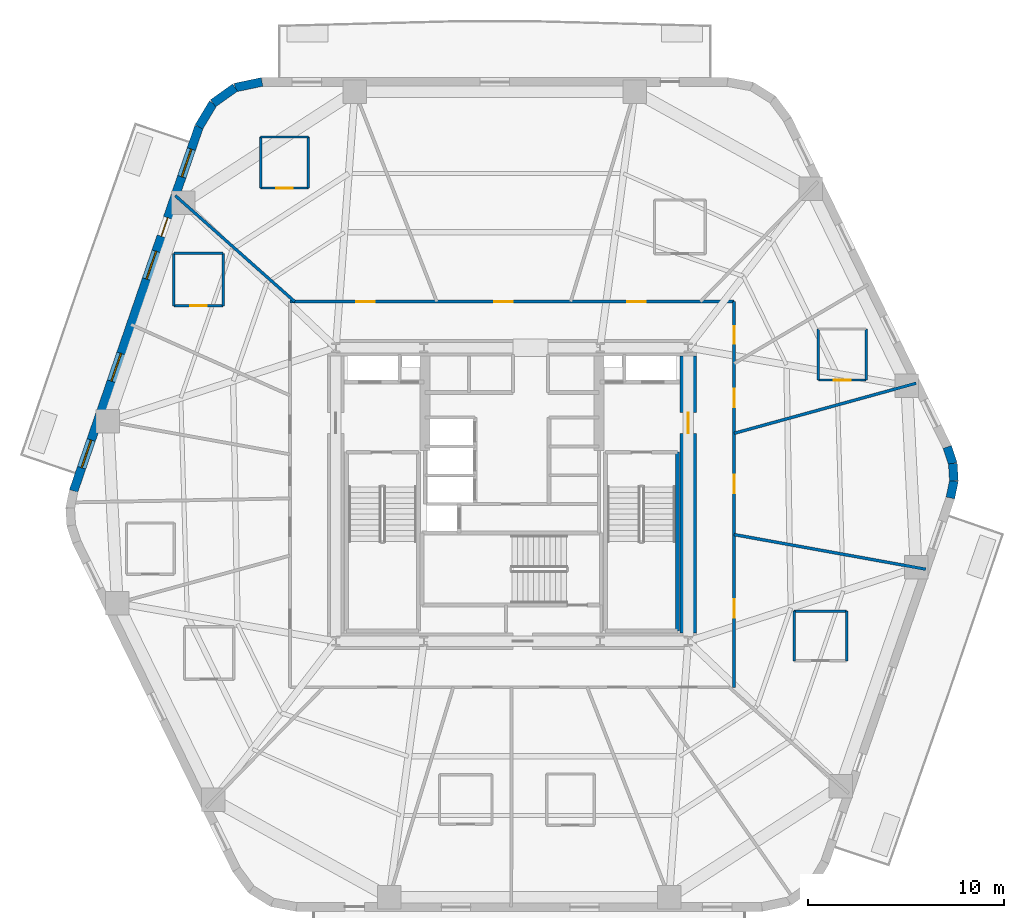
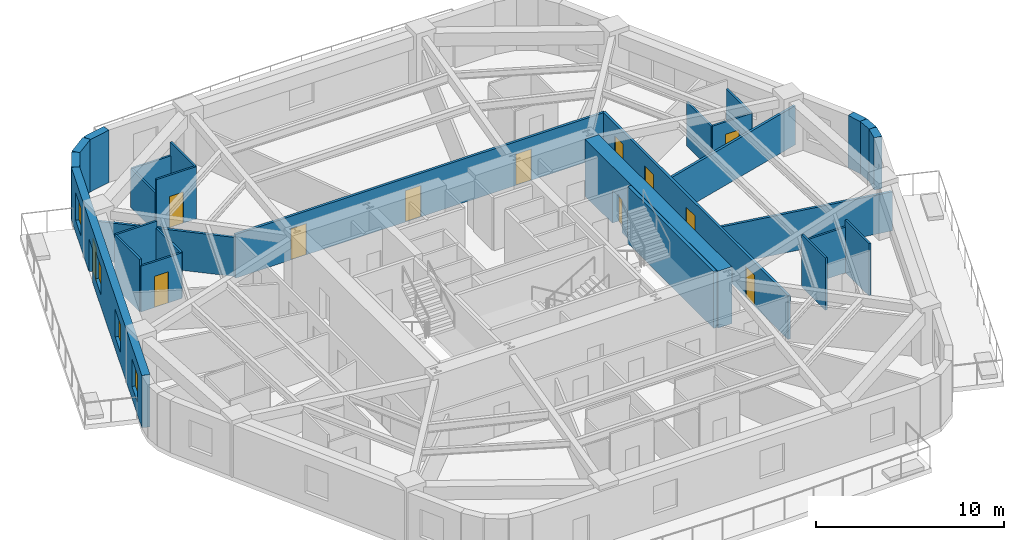
# One storey, part 5 of 8: 28 walls, 12 doors, 4 windows, 16 openings.
"""IFC4 building model written with IfcOpenShell, lengths in metres."""

from ifc_helpers import new_model, si_unit, direction, frame, frame_2d, origin, place, context, subcontext, project, spatial, rectangle, extrude, material, layer, layer_set, type_object, element, fill, save


model = new_model("IFC4")

# Units and contexts
model_context = context("Model", 3, precision=1e-05, world=origin(), true_north=direction((0.0, 1.0)))
body_context = subcontext(model_context, "Body", "Model", "MODEL_VIEW")
ifc_project = project(units=[si_unit("LENGTHUNIT", "METRE"), si_unit("AREAUNIT", "SQUARE_METRE"), si_unit("VOLUMEUNIT", "CUBIC_METRE"), si_unit("PLANEANGLEUNIT", "RADIAN"), si_unit("MASSUNIT", "GRAM", prefix="KILO")], contexts=[model_context])

# Site, building, storey
site_placement = place(None, origin())
site = spatial("IfcSite", under=ifc_project, at=site_placement, CompositionType="ELEMENT")
building_placement = place(site_placement, origin())
building = spatial("IfcBuilding", under=site, at=building_placement, Name="Kilnhurst Terrace Hotel", CompositionType="ELEMENT")
storey_placement = place(building_placement, frame((0.0, 0.0, 109.89990234375)))
storey = spatial("IfcBuildingStorey", under=building, at=storey_placement, Name="L26", CompositionType="ELEMENT", Elevation=109.89990234375)

# Walls
ifc_material_1 = material(Name="Precast concrete C40/50", Category="concrete")
ifc_layer_1 = layer(ifc_material_1, 0.449951171875, Name="Precast concrete C40/50")
ifc_layer_set_1 = layer_set([ifc_layer_1], Name="Precast concrete C40/50")
wall_type_1 = type_object("IfcWallType", Name="WL-BRK-450", PredefinedType="SOLIDWALL", material=ifc_layer_set_1)
wall_1_placement = place(storey_placement, frame((22.39697265625, -0.17919921875, 0.0), z_axis=(0.0, 0.0, 1.0), x_axis=(0.199313589404, 0.979935759669, 0.0)))
element("IfcWall", 1, at=wall_1_placement, inside=storey, type_object=wall_type_1, Name="L26 Rounded Corner Brick Wall C3.1", PredefinedType="SOLIDWALL", context=body_context, shape_type="SweptSolid", body=[
    extrude(rectangle(XDim=0.8955078125, YDim=0.449951171875, at=frame_2d((0.44775390625, 0.0))), origin(), (0.0, 0.0, 1.0), 3.400146484375),
])
wall_2_placement = place(storey_placement, frame((22.575439453125, 0.6982421875, 0.0), z_axis=(0.0, 0.0, 1.0), x_axis=(-0.060980441946, 0.998138961117, 0.0)))
element("IfcWall", 2, at=wall_2_placement, inside=storey, type_object=wall_type_1, Name="L26 Rounded Corner Brick Wall C3.2", PredefinedType="SOLIDWALL", context=body_context, shape_type="SweptSolid", body=[
    extrude(rectangle(XDim=0.880859375, YDim=0.449951171875, at=frame_2d((0.4404296875, 0.0))), origin(), (0.0, 0.0, 1.0), 3.400146484375),
])
wall_3_placement = place(storey_placement, frame((22.521728515625, 1.577392578125, 0.0), z_axis=(0.0, 0.0, 1.0), x_axis=(-0.317372694837, 0.948300887151, 0.0)))
element("IfcWall", 3, at=wall_3_placement, inside=storey, type_object=wall_type_1, Name="L26 Rounded Corner Brick Wall C3.3", PredefinedType="SOLIDWALL", context=body_context, shape_type="SweptSolid", body=[
    extrude(rectangle(XDim=0.8955078125, YDim=0.449951171875, at=frame_2d((0.44775390625, 0.0))), origin(), (0.0, 0.0, 1.0), 3.400146484375),
])
wall_4_placement = place(storey_placement, frame((-12.7705078125, 21.074951171875, 0.0), z_axis=(0.0, 0.0, 1.0), x_axis=(-0.97874281988, -0.205091424819, 0.0)))
element("IfcWall", 4, at=wall_4_placement, inside=storey, type_object=wall_type_1, Name="L26 Rounded Corner Brick Wall C5.1", PredefinedType="SOLIDWALL", context=body_context, shape_type="SweptSolid", body=[
    extrude(rectangle(XDim=1.40576171875, YDim=0.449951171875, at=frame_2d((0.702880859375, 0.0))), origin(), (0.0, 0.0, 1.0), 3.400146484375),
])
wall_5_placement = place(storey_placement, frame((-14.146484375, 20.78662109375, 0.0), z_axis=(0.0, 0.0, 1.0), x_axis=(-0.814162929117, -0.580636482536, 0.0)))
element("IfcWall", 5, at=wall_5_placement, inside=storey, type_object=wall_type_1, Name="L26 Rounded Corner Brick Wall C5.2", PredefinedType="SOLIDWALL", context=body_context, shape_type="SweptSolid", body=[
    extrude(rectangle(XDim=1.382080078125, YDim=0.449951171875, at=frame_2d((0.69091796875, 0.0))), origin(), (0.0, 0.0, 1.0), 3.400146484375),
])
wall_6_placement = place(storey_placement, frame((-15.271728515625, 19.984130859375, 0.0), z_axis=(0.0, 0.0, 1.0), x_axis=(-0.512579347361, -0.858639862025, 0.0)))
element("IfcWall", 6, at=wall_6_placement, inside=storey, type_object=wall_type_1, Name="L26 Rounded Corner Brick Wall C5.3", PredefinedType="SOLIDWALL", context=body_context, shape_type="SweptSolid", body=[
    extrude(rectangle(XDim=1.406005859375, YDim=0.449951171875, at=frame_2d((0.703125, 0.0))), origin(), (0.0, 0.0, 1.0), 3.400146484375),
])

# Wall, openings, door, windows
wall_7_placement = place(storey_placement, frame((-15.992431640625, 18.77685546875, 0.0), z_axis=(0.0, 0.0, 1.0), x_axis=(-0.325606988926, -0.945505202927, 0.0)))
wall_7 = element("IfcWall", 7, at=wall_7_placement, inside=storey, type_object=wall_type_1, Name="L26 Exterior Brick Facade Wall F5", PredefinedType="SOLIDWALL", context=body_context, shape_type="SweptSolid", body=[
    extrude(rectangle(XDim=19.66943359375, YDim=0.449951171875, at=frame_2d((9.834716796875, 0.0))), origin(), (0.0, 0.0, 1.0), 3.400146484375),
])
opening_1_placement = place(wall_7_placement, frame((4.908935546875, 0.0, 0.0)))
opening_1 = element("IfcOpeningElement", 8, at=opening_1_placement, cuts=wall_7, Name="Opening BD-1000", PredefinedType="OPENING", context=body_context, shape_type="SweptSolid", body=[
    extrude(rectangle(XDim=1.0, YDim=2.14990234375, at=frame_2d((0.5, 1.074951171875))), frame((0.0, 0.23486328125, 0.0), z_axis=(0.0, -1.0, 0.0), x_axis=(1.0, 0.0, 0.0)), (0.0, 0.0, 1.0), 0.469970703125),
])
opening_2_placement = place(wall_7_placement, frame((1.197021484375, 0.0, 0.800048828125)))
opening_2 = element("IfcOpeningElement", 9, at=opening_2_placement, cuts=wall_7, Name="Opening W-02", PredefinedType="OPENING", context=body_context, shape_type="SweptSolid", body=[
    extrude(rectangle(XDim=1.5, YDim=1.800048828125, at=frame_2d((0.75, 0.89990234375))), frame((0.0, 0.23486328125, 0.0), z_axis=(0.0, -1.0, 0.0), x_axis=(1.0, 0.0, 0.0)), (0.0, 0.0, 1.0), 0.469970703125),
])
opening_3_placement = place(wall_7_placement, frame((6.719970703125, 0.0, 0.800048828125)))
opening_3 = element("IfcOpeningElement", 10, at=opening_3_placement, cuts=wall_7, Name="Opening W-02", PredefinedType="OPENING", context=body_context, shape_type="SweptSolid", body=[
    extrude(rectangle(XDim=1.5, YDim=1.800048828125, at=frame_2d((0.75, 0.89990234375))), frame((0.0, 0.23486328125, 0.0), z_axis=(0.0, -1.0, 0.0), x_axis=(1.0, 0.0, 0.0)), (0.0, 0.0, 1.0), 0.469970703125),
])
opening_4_placement = place(wall_7_placement, frame((12.238037109375, 0.0, 0.800048828125)))
opening_4 = element("IfcOpeningElement", 11, at=opening_4_placement, cuts=wall_7, Name="Opening W-02", PredefinedType="OPENING", context=body_context, shape_type="SweptSolid", body=[
    extrude(rectangle(XDim=1.5, YDim=1.800048828125, at=frame_2d((0.75, 0.89990234375))), frame((0.0, 0.23486328125, 0.0), z_axis=(0.0, -1.0, 0.0), x_axis=(1.0, 0.0, 0.0)), (0.0, 0.0, 1.0), 0.469970703125),
])
opening_5_placement = place(wall_7_placement, frame((16.91796875, 0.0, 0.800048828125)))
opening_5 = element("IfcOpeningElement", 12, at=opening_5_placement, cuts=wall_7, Name="Opening W-02", PredefinedType="OPENING", context=body_context, shape_type="SweptSolid", body=[
    extrude(rectangle(XDim=1.5, YDim=1.800048828125, at=frame_2d((0.75, 0.89990234375))), frame((0.0, 0.23486328125, 0.0), z_axis=(0.0, -1.0, 0.0), x_axis=(1.0, 0.0, 0.0)), (0.0, 0.0, 1.0), 0.469970703125),
])
ifc_material_2 = material(Name="Thermally Broken Bronze Aluminium Alloy 6063-T6 and Laminated Glass", Category="aluminium")
door_type_1 = type_object("IfcDoorType", Name="DR-EXT-BAL-1000", OperationType="NOTDEFINED", PredefinedType="DOOR", material=ifc_material_2)
door_1_placement = place(opening_1_placement, origin())
door_1 = element("IfcDoor", 13, at=door_1_placement, inside=storey, type_object=door_type_1, Name="L26 Planted Balcony Door BAL-L2B", OperationType="SINGLE_SWING_LEFT", OverallHeight=2.14990234375, OverallWidth=1.0, PredefinedType="DOOR", context=body_context, shape_type="SweptSolid", body=[
    extrude(rectangle(XDim=1.0, YDim=2.14990234375, at=frame_2d((0.5, 1.074951171875))), frame((0.0, 0.02490234375, 0.0), z_axis=(0.0, -1.0, 0.0), x_axis=(1.0, 0.0, 0.0)), (0.0, 0.0, 1.0), 0.050048828125),
])
fill(opening_1, door_1)
ifc_material_3 = material(Name="Thermally Broken Bronze Aluminium Alloy 6063-T6 and Low-E Glass", Category="aluminium")
window_type = type_object("IfcWindowType", Name="WIN-1500X1800", PartitioningType="SINGLE_PANEL", PredefinedType="WINDOW", material=ifc_material_3)
window_1_placement = place(opening_2_placement, origin())
window_1 = element("IfcWindow", 14, at=window_1_placement, inside=storey, type_object=window_type, Name="L26 Deep-Set Masonry Window F5.1", OverallHeight=1.800048828125, OverallWidth=1.5, PartitioningType="SINGLE_PANEL", PredefinedType="WINDOW", context=body_context, shape_type="SweptSolid", body=[
    extrude(rectangle(XDim=1.5, YDim=1.800048828125, at=frame_2d((0.75, 0.89990234375))), frame((0.0, 0.030029296875, 0.0), z_axis=(0.0, -1.0, 0.0), x_axis=(1.0, 0.0, 0.0)), (0.0, 0.0, 1.0), 0.06005859375),
])
fill(opening_2, window_1)
window_2_placement = place(opening_3_placement, origin())
window_2 = element("IfcWindow", 15, at=window_2_placement, inside=storey, type_object=window_type, Name="L26 Deep-Set Masonry Window F5.2", OverallHeight=1.800048828125, OverallWidth=1.5, PartitioningType="SINGLE_PANEL", PredefinedType="WINDOW", context=body_context, shape_type="SweptSolid", body=[
    extrude(rectangle(XDim=1.5, YDim=1.800048828125, at=frame_2d((0.75, 0.89990234375))), frame((0.0, 0.030029296875, 0.0), z_axis=(0.0, -1.0, 0.0), x_axis=(1.0, 0.0, 0.0)), (0.0, 0.0, 1.0), 0.06005859375),
])
fill(opening_3, window_2)
window_3_placement = place(opening_4_placement, origin())
window_3 = element("IfcWindow", 16, at=window_3_placement, inside=storey, type_object=window_type, Name="L26 Deep-Set Masonry Window F5.3", OverallHeight=1.800048828125, OverallWidth=1.5, PartitioningType="SINGLE_PANEL", PredefinedType="WINDOW", context=body_context, shape_type="SweptSolid", body=[
    extrude(rectangle(XDim=1.5, YDim=1.800048828125, at=frame_2d((0.75, 0.89990234375))), frame((0.0, 0.030029296875, 0.0), z_axis=(0.0, -1.0, 0.0), x_axis=(1.0, 0.0, 0.0)), (0.0, 0.0, 1.0), 0.06005859375),
])
fill(opening_4, window_3)
window_4_placement = place(opening_5_placement, origin())
window_4 = element("IfcWindow", 17, at=window_4_placement, inside=storey, type_object=window_type, Name="L26 Deep-Set Masonry Window F5.4", OverallHeight=1.800048828125, OverallWidth=1.5, PartitioningType="SINGLE_PANEL", PredefinedType="WINDOW", context=body_context, shape_type="SweptSolid", body=[
    extrude(rectangle(XDim=1.5, YDim=1.800048828125, at=frame_2d((0.75, 0.89990234375))), frame((0.0, 0.030029296875, 0.0), z_axis=(0.0, -1.0, 0.0), x_axis=(1.0, 0.0, 0.0)), (0.0, 0.0, 1.0), 0.06005859375),
])
fill(opening_5, window_4)

# Wall, openings, doors
ifc_material_4 = material(Name="Acoustic Double-Gypsum Corridor Partition Assembly")
ifc_layer_2 = layer(ifc_material_4, 0.14990234375, Name="Acoustic Double-Gypsum Corridor Partition Assembly")
ifc_layer_set_2 = layer_set([ifc_layer_2], Name="Acoustic Double-Gypsum Corridor Partition Assembly")
wall_type_2 = type_object("IfcWallType", Name="WL-COR-150", PredefinedType="PARTITIONING", material=ifc_layer_set_2)
wall_8_placement = place(storey_placement, frame((-11.35009765625, 9.85009765625, 0.0), z_axis=(0.0, 0.0, 1.0), x_axis=(1.0, 0.0, 0.0)))
wall_8 = element("IfcWall", 18, at=wall_8_placement, inside=storey, type_object=wall_type_2, Name="L26 Interior Wall WL-L26-COR-02", PredefinedType="PARTITIONING", context=body_context, shape_type="SweptSolid", body=[
    extrude(rectangle(XDim=22.7001953125, YDim=0.14990234375, at=frame_2d((11.35009765625, 0.0))), origin(), (0.0, 0.0, 1.0), 2.840087890625),
])
opening_6_placement = place(wall_8_placement, frame((17.237060546875, 0.0, 0.0)))
opening_6 = element("IfcOpeningElement", 19, at=opening_6_placement, cuts=wall_8, Name="Opening D-60B", PredefinedType="OPENING", context=body_context, shape_type="SweptSolid", body=[
    extrude(rectangle(XDim=0.949951171875, YDim=2.030029296875, at=frame_2d((0.47509765625, 1.01513671875))), frame((0.0, 0.0849609375, 0.0), z_axis=(0.0, -1.0, 0.0), x_axis=(1.0, 0.0, 0.0)), (0.0, 0.0, 1.0), 0.169921875),
])
opening_7_placement = place(wall_8_placement, frame((10.449951171875, 0.0, 0.0)))
opening_7 = element("IfcOpeningElement", 20, at=opening_7_placement, cuts=wall_8, Name="Opening D-60B", PredefinedType="OPENING", context=body_context, shape_type="SweptSolid", body=[
    extrude(rectangle(XDim=0.949951171875, YDim=2.030029296875, at=frame_2d((0.47509765625, 1.01513671875))), frame((0.0, 0.0849609375, 0.0), z_axis=(0.0, -1.0, 0.0), x_axis=(1.0, 0.0, 0.0)), (0.0, 0.0, 1.0), 0.169921875),
])
opening_8_placement = place(wall_8_placement, frame((3.39892578125, 0.0, 0.0)))
opening_8 = element("IfcOpeningElement", 21, at=opening_8_placement, cuts=wall_8, Name="Opening D-60B", PredefinedType="OPENING", context=body_context, shape_type="SweptSolid", body=[
    extrude(rectangle(XDim=0.949951171875, YDim=2.030029296875, at=frame_2d((0.47509765625, 1.01513671875))), frame((0.0, 0.0849609375, 0.0), z_axis=(0.0, -1.0, 0.0), x_axis=(1.0, 0.0, 0.0)), (0.0, 0.0, 1.0), 0.169921875),
])
ifc_material_5 = material(Name="Acoustic Walnut Veneer Solid-Core Fire Door")
door_type_2 = type_object("IfcDoorType", Name="DR-FD60-950", OperationType="NOTDEFINED", PredefinedType="DOOR", material=ifc_material_5)
door_2_placement = place(opening_6_placement, origin())
door_2 = element("IfcDoor", 22, at=door_2_placement, inside=storey, type_object=door_type_2, Name="L26 Executive Suite Entry Door 3", OperationType="SINGLE_SWING_LEFT", OverallHeight=2.030029296875, OverallWidth=0.949951171875, PredefinedType="DOOR", context=body_context, shape_type="SweptSolid", body=[
    extrude(rectangle(XDim=0.949951171875, YDim=2.030029296875, at=frame_2d((0.47509765625, 1.01513671875))), frame((0.0, 0.02490234375, 0.0), z_axis=(0.0, -1.0, 0.0), x_axis=(1.0, 0.0, 0.0)), (0.0, 0.0, 1.0), 0.050048828125),
])
fill(opening_6, door_2)
door_3_placement = place(opening_7_placement, origin())
door_3 = element("IfcDoor", 23, at=door_3_placement, inside=storey, type_object=door_type_2, Name="L26 Executive Boardroom Door", OperationType="SINGLE_SWING_RIGHT", OverallHeight=2.030029296875, OverallWidth=0.949951171875, PredefinedType="DOOR", context=body_context, shape_type="SweptSolid", body=[
    extrude(rectangle(XDim=0.949951171875, YDim=2.030029296875, at=frame_2d((0.47509765625, 1.01513671875))), frame((0.0, 0.02490234375, 0.0), z_axis=(0.0, -1.0, 0.0), x_axis=(1.0, 0.0, 0.0)), (0.0, 0.0, 1.0), 0.050048828125),
])
fill(opening_7, door_3)
door_4_placement = place(opening_8_placement, origin())
door_4 = element("IfcDoor", 24, at=door_4_placement, inside=storey, type_object=door_type_2, Name="L26 Executive Suite Entry Door 5", OperationType="SINGLE_SWING_LEFT", OverallHeight=2.030029296875, OverallWidth=0.949951171875, PredefinedType="DOOR", context=body_context, shape_type="SweptSolid", body=[
    extrude(rectangle(XDim=0.949951171875, YDim=2.030029296875, at=frame_2d((0.47509765625, 1.01513671875))), frame((0.0, 0.02490234375, 0.0), z_axis=(0.0, -1.0, 0.0), x_axis=(1.0, 0.0, 0.0)), (0.0, 0.0, 1.0), 0.050048828125),
])
fill(opening_8, door_4)

wall_9_placement = place(storey_placement, frame((11.35009765625, 9.85009765625, 0.0), z_axis=(0.0, 0.0, 1.0), x_axis=(0.0, -1.0, 0.0)))
wall_9 = element("IfcWall", 25, at=wall_9_placement, inside=storey, type_object=wall_type_2, Name="L26 Interior Wall WL-L26-COR-03", PredefinedType="PARTITIONING", context=body_context, shape_type="SweptSolid", body=[
    extrude(rectangle(XDim=19.7001953125, YDim=0.14990234375, at=frame_2d((9.85009765625, 0.0))), origin(), (0.0, 0.0, 1.0), 2.840087890625),
])
opening_9_placement = place(wall_9_placement, frame((4.447998046875, 0.0, 0.0)))
opening_9 = element("IfcOpeningElement", 26, at=opening_9_placement, cuts=wall_9, Name="Opening D-60B", PredefinedType="OPENING", context=body_context, shape_type="SweptSolid", body=[
    extrude(rectangle(XDim=0.949951171875, YDim=2.030029296875, at=frame_2d((0.47509765625, 1.01513671875))), frame((0.0, 0.0849609375, 0.0), z_axis=(0.0, -1.0, 0.0), x_axis=(1.0, 0.0, 0.0)), (0.0, 0.0, 1.0), 0.169921875),
])
opening_10_placement = place(wall_9_placement, frame((1.2490234375, 0.0, 0.0)))
opening_10 = element("IfcOpeningElement", 27, at=opening_10_placement, cuts=wall_9, Name="Opening D-60C", PredefinedType="OPENING", context=body_context, shape_type="SweptSolid", body=[
    extrude(rectangle(XDim=0.89990234375, YDim=2.030029296875, at=frame_2d((0.449951171875, 1.01513671875))), frame((0.0, 0.0849609375, 0.0), z_axis=(0.0, -1.0, 0.0), x_axis=(1.0, 0.0, 0.0)), (0.0, 0.0, 1.0), 0.169921875),
])
opening_11_placement = place(wall_9_placement, frame((15.205078125, 0.0, 0.0)))
opening_11 = element("IfcOpeningElement", 28, at=opening_11_placement, cuts=wall_9, Name="Opening D-60B", PredefinedType="OPENING", context=body_context, shape_type="SweptSolid", body=[
    extrude(rectangle(XDim=0.949951171875, YDim=2.030029296875, at=frame_2d((0.47509765625, 1.01513671875))), frame((0.0, 0.0849609375, 0.0), z_axis=(0.0, -1.0, 0.0), x_axis=(1.0, 0.0, 0.0)), (0.0, 0.0, 1.0), 0.169921875),
])
opening_12_placement = place(wall_9_placement, frame((8.8359375, 0.0, 0.0)))
opening_12 = element("IfcOpeningElement", 29, at=opening_12_placement, cuts=wall_9, Name="Opening D-60B", PredefinedType="OPENING", context=body_context, shape_type="SweptSolid", body=[
    extrude(rectangle(XDim=0.949951171875, YDim=2.030029296875, at=frame_2d((0.47509765625, 1.01513671875))), frame((0.0, 0.0849609375, 0.0), z_axis=(0.0, -1.0, 0.0), x_axis=(1.0, 0.0, 0.0)), (0.0, 0.0, 1.0), 0.169921875),
])
ifc_material_6 = material(Name="Painted Solid-Core Service Fire Door")
door_type_3 = type_object("IfcDoorType", Name="DR-FD60-900", OperationType="NOTDEFINED", PredefinedType="DOOR", material=ifc_material_6)
door_5_placement = place(opening_10_placement, origin())
door_5 = element("IfcDoor", 30, at=door_5_placement, inside=storey, type_object=door_type_3, Name="L26 Private Study Salon Door 2", OperationType="SINGLE_SWING_RIGHT", OverallHeight=2.030029296875, OverallWidth=0.89990234375, PredefinedType="DOOR", context=body_context, shape_type="SweptSolid", body=[
    extrude(rectangle(XDim=0.89990234375, YDim=2.030029296875, at=frame_2d((0.449951171875, 1.01513671875))), frame((0.0, 0.02490234375, 0.0), z_axis=(0.0, -1.0, 0.0), x_axis=(1.0, 0.0, 0.0)), (0.0, 0.0, 1.0), 0.050048828125),
])
fill(opening_10, door_5)
door_6_placement = place(opening_9_placement, origin())
door_6 = element("IfcDoor", 31, at=door_6_placement, inside=storey, type_object=door_type_2, Name="L26 Guest Room Entry Door 1", OperationType="SINGLE_SWING_LEFT", OverallHeight=2.030029296875, OverallWidth=0.949951171875, PredefinedType="DOOR", context=body_context, shape_type="SweptSolid", body=[
    extrude(rectangle(XDim=0.949951171875, YDim=2.030029296875, at=frame_2d((0.47509765625, 1.01513671875))), frame((0.0, 0.02490234375, 0.0), z_axis=(0.0, -1.0, 0.0), x_axis=(1.0, 0.0, 0.0)), (0.0, 0.0, 1.0), 0.050048828125),
])
fill(opening_9, door_6)
door_7_placement = place(opening_11_placement, origin())
door_7 = element("IfcDoor", 32, at=door_7_placement, inside=storey, type_object=door_type_2, Name="L26 Executive Suite Entry Door 16", OperationType="SINGLE_SWING_RIGHT", OverallHeight=2.030029296875, OverallWidth=0.949951171875, PredefinedType="DOOR", context=body_context, shape_type="SweptSolid", body=[
    extrude(rectangle(XDim=0.949951171875, YDim=2.030029296875, at=frame_2d((0.47509765625, 1.01513671875))), frame((0.0, 0.02490234375, 0.0), z_axis=(0.0, -1.0, 0.0), x_axis=(1.0, 0.0, 0.0)), (0.0, 0.0, 1.0), 0.050048828125),
])
fill(opening_11, door_7)
door_8_placement = place(opening_12_placement, origin())
door_8 = element("IfcDoor", 33, at=door_8_placement, inside=storey, type_object=door_type_2, Name="L26 Private Dining Room Door", OperationType="SINGLE_SWING_LEFT", OverallHeight=2.030029296875, OverallWidth=0.949951171875, PredefinedType="DOOR", context=body_context, shape_type="SweptSolid", body=[
    extrude(rectangle(XDim=0.949951171875, YDim=2.030029296875, at=frame_2d((0.47509765625, 1.01513671875))), frame((0.0, 0.02490234375, 0.0), z_axis=(0.0, -1.0, 0.0), x_axis=(1.0, 0.0, 0.0)), (0.0, 0.0, 1.0), 0.050048828125),
])
fill(opening_12, door_8)

# Wall, opening, door
ifc_material_7 = material(Name="Concrete C80/95", Category="concrete")
ifc_layer_3 = layer(ifc_material_7, 0.85009765625, Name="Concrete C80/95")
ifc_layer_set_3 = layer_set([ifc_layer_3], Name="Concrete C80/95")
wall_type_3 = type_object("IfcWallType", Name="WL-CORE-850", PredefinedType="SHEAR", material=ifc_layer_set_3)
wall_10_placement = place(storey_placement, frame((9.0, -7.074951171875, 0.0), z_axis=(0.0, 0.0, 1.0), x_axis=(0.0, 1.0, 0.0)))
wall_10 = element("IfcWall", 34, at=wall_10_placement, inside=storey, type_object=wall_type_3, Name="L26 Core East Shear Wall", PredefinedType="SHEAR", context=body_context, shape_type="SweptSolid", body=[
    extrude(rectangle(XDim=14.14990234375, YDim=0.85009765625, at=frame_2d((7.074951171875, 0.0))), origin(), (0.0, 0.0, 1.0), 3.7001953125),
])
opening_13_placement = place(wall_10_placement, frame((10.199951171875, 0.0, 0.0)))
opening_13 = element("IfcOpeningElement", 35, at=opening_13_placement, cuts=wall_10, Name="Opening D-90A", PredefinedType="OPENING", context=body_context, shape_type="SweptSolid", body=[
    extrude(rectangle(XDim=1.050048828125, YDim=2.14990234375, at=frame_2d((0.52490234375, 1.074951171875))), frame((0.0, 0.43505859375, 0.0), z_axis=(0.0, -1.0, 0.0), x_axis=(1.0, 0.0, 0.0)), (0.0, 0.0, 1.0), 0.8701171875),
])
ifc_material_8 = material(Name="Painted Hollow Metal Steel ASTM A36 Fire Door", Category="steel")
door_type_4 = type_object("IfcDoorType", Name="DR-FD90-1050", OperationType="NOTDEFINED", PredefinedType="DOOR", material=ifc_material_8)
door_9_placement = place(opening_13_placement, origin())
door_9 = element("IfcDoor", 36, at=door_9_placement, inside=storey, type_object=door_type_4, Name="L26 East Firefighting Lobby Door", OperationType="SINGLE_SWING_LEFT", OverallHeight=2.14990234375, OverallWidth=1.050048828125, PredefinedType="DOOR", context=body_context, shape_type="SweptSolid", body=[
    extrude(rectangle(XDim=1.050048828125, YDim=2.14990234375, at=frame_2d((0.52490234375, 1.074951171875))), frame((0.0, 0.02490234375, 0.0), z_axis=(0.0, -1.0, 0.0), x_axis=(1.0, 0.0, 0.0)), (0.0, 0.0, 1.0), 0.050048828125),
])
fill(opening_13, door_9)

# Walls
ifc_material_9 = material(Name="STC-58 Acoustic Twin-Frame Guestroom Demising Partition")
ifc_layer_4 = layer(ifc_material_9, 0.14990234375, Name="STC-58 Acoustic Twin-Frame Guestroom Demising Partition")
ifc_layer_set_4 = layer_set([ifc_layer_4], Name="STC-58 Acoustic Twin-Frame Guestroom Demising Partition")
wall_type_4 = type_object("IfcWallType", Name="WL-DEM-150", PredefinedType="PARTITIONING", material=ifc_layer_set_4)
wall_11_placement = place(storey_placement, frame((11.35009765625, 3.123291015625, 0.0), z_axis=(0.0, 0.0, 1.0), x_axis=(0.964151983214, 0.265350623261, 0.0)))
element("IfcWall", 37, at=wall_11_placement, inside=storey, type_object=wall_type_4, Name="L26 Interior Wall WL-L26-DEM-COL01-01-1", PredefinedType="PARTITIONING", context=body_context, shape_type="SweptSolid", body=[
    extrude(rectangle(XDim=9.64501953125, YDim=0.14990234375, at=frame_2d((4.822509765625, 0.0))), origin(), (0.0, 0.0, 1.0), 2.5400390625),
])
wall_12_placement = place(storey_placement, frame((-11.097900390625, 9.85009765625, 0.0), z_axis=(0.0, 0.0, 1.0), x_axis=(-0.747904295103, 0.663806572253, 0.0)))
element("IfcWall", 38, at=wall_12_placement, inside=storey, type_object=wall_type_4, Name="L26 Interior Wall WL-L26-DEM-COL05-06-1", PredefinedType="PARTITIONING", context=body_context, shape_type="SweptSolid", body=[
    extrude(rectangle(XDim=8.160400390625, YDim=0.14990234375, at=frame_2d((4.080078125, 0.0))), origin(), (0.0, 0.0, 1.0), 2.5400390625),
])
wall_13_placement = place(storey_placement, frame((11.35009765625, -2.05078125, 0.0), z_axis=(0.0, 0.0, 1.0), x_axis=(0.984068313063, -0.177790762484, 0.0)))
element("IfcWall", 39, at=wall_13_placement, inside=storey, type_object=wall_type_4, Name="L26 Interior Wall WL-L26-DEM-COL12-17-1", PredefinedType="PARTITIONING", context=body_context, shape_type="SweptSolid", body=[
    extrude(rectangle(XDim=9.951416015625, YDim=0.14990234375, at=frame_2d((4.9755859375, 0.0))), origin(), (0.0, 0.0, 1.0), 2.5400390625),
])

# Wall, opening, door
ifc_material_10 = material(Name="120 mm Moisture-Resistant Tile-Backed Bathroom Partition")
ifc_layer_5 = layer(ifc_material_10, 0.1201171875, Name="120 mm Moisture-Resistant Tile-Backed Bathroom Partition")
ifc_layer_set_5 = layer_set([ifc_layer_5], Name="120 mm Moisture-Resistant Tile-Backed Bathroom Partition")
wall_type_5 = type_object("IfcWallType", Name="WL-PART-120", PredefinedType="PARTITIONING", material=ifc_layer_set_5)
wall_14_placement = place(storey_placement, frame((15.654052734375, 5.845947265625, 0.0), z_axis=(0.0, 0.0, 1.0), x_axis=(1.0, 0.0, 0.0)))
wall_14 = element("IfcWall", 40, at=wall_14_placement, inside=storey, type_object=wall_type_5, Name="L26 Interior Wall WL-L26-BTH-01-1", PredefinedType="PARTITIONING", context=body_context, shape_type="SweptSolid", body=[
    extrude(rectangle(XDim=2.43994140625, YDim=0.1201171875, at=frame_2d((1.219970703125, 0.0))), origin(), (0.0, 0.0, 1.0), 2.840087890625),
])
opening_14_placement = place(wall_14_placement, frame((0.794921875, 0.0, 0.0)))
opening_14 = element("IfcOpeningElement", 41, at=opening_14_placement, cuts=wall_14, Name="Opening D-08A", PredefinedType="OPENING", context=body_context, shape_type="SweptSolid", body=[
    extrude(rectangle(XDim=0.85009765625, YDim=2.030029296875, at=frame_2d((0.425048828125, 1.01513671875))), frame((0.0, 0.070068359375, 0.0), z_axis=(0.0, -1.0, 0.0), x_axis=(1.0, 0.0, 0.0)), (0.0, 0.0, 1.0), 0.14013671875),
])
ifc_material_11 = material(Name="Moisture-Resistant Lacquered En-suite Bathroom Door")
door_type_5 = type_object("IfcDoorType", Name="DR-INT-850", OperationType="NOTDEFINED", PredefinedType="DOOR", material=ifc_material_11)
door_10_placement = place(opening_14_placement, origin())
door_10 = element("IfcDoor", 42, at=door_10_placement, inside=storey, type_object=door_type_5, Name="L26 En-suite Bathroom Door 1", OperationType="SINGLE_SWING_RIGHT", OverallHeight=2.030029296875, OverallWidth=0.85009765625, PredefinedType="DOOR", context=body_context, shape_type="SweptSolid", body=[
    extrude(rectangle(XDim=0.85009765625, YDim=2.030029296875, at=frame_2d((0.425048828125, 1.01513671875))), frame((0.0, 0.02490234375, 0.0), z_axis=(0.0, -1.0, 0.0), x_axis=(1.0, 0.0, 0.0)), (0.0, 0.0, 1.0), 0.050048828125),
])
fill(opening_14, door_10)

# Walls
for number, where, z_axis, x_axis, name in (
    (43, (18.093994140625, 5.845947265625, 0.0), (0.0, 0.0, 1.0), (0.0, 1.0, 0.0), "L26 Interior Wall WL-L26-BTH-01-2"),
    (44, (15.654052734375, 8.4560546875, 0.0), (0.0, 0.0, 1.0), (0.0, -1.0, 0.0), "L26 Interior Wall WL-L26-BTH-01-4"),
):
    element("IfcWall", number, at=place(storey_placement, frame(where, z_axis=z_axis, x_axis=x_axis)), inside=storey, type_object=wall_type_5, Name=name, PredefinedType="PARTITIONING", context=body_context, shape_type="SweptSolid", body=[
        extrude(rectangle(XDim=2.610107421875, YDim=0.1201171875, at=frame_2d((1.30517578125, 0.0))), origin(), (0.0, 0.0, 1.0), 2.840087890625),
    ])

# Wall, opening, door
wall_15_placement = place(storey_placement, frame((-12.844970703125, 15.655029296875, 0.0), z_axis=(0.0, 0.0, 1.0), x_axis=(1.0, 0.0, 0.0)))
wall_15 = element("IfcWall", 45, at=wall_15_placement, inside=storey, type_object=wall_type_5, Name="L26 Interior Wall WL-L26-BTH-05-1", PredefinedType="PARTITIONING", context=body_context, shape_type="SweptSolid", body=[
    extrude(rectangle(XDim=2.43994140625, YDim=0.1201171875, at=frame_2d((1.219970703125, 0.0))), origin(), (0.0, 0.0, 1.0), 3.400146484375),
])
opening_15_placement = place(wall_15_placement, frame((0.794921875, 0.0, 0.0)))
opening_15 = element("IfcOpeningElement", 46, at=opening_15_placement, cuts=wall_15, Name="Opening D-08A", PredefinedType="OPENING", context=body_context, shape_type="SweptSolid", body=[
    extrude(rectangle(XDim=0.85009765625, YDim=2.030029296875, at=frame_2d((0.425048828125, 1.01513671875))), frame((0.0, 0.070068359375, 0.0), z_axis=(0.0, -1.0, 0.0), x_axis=(1.0, 0.0, 0.0)), (0.0, 0.0, 1.0), 0.14013671875),
])
door_11_placement = place(opening_15_placement, origin())
door_11 = element("IfcDoor", 47, at=door_11_placement, inside=storey, type_object=door_type_5, Name="L26 En-suite Bathroom Door 5", OperationType="SINGLE_SWING_RIGHT", OverallHeight=2.030029296875, OverallWidth=0.85009765625, PredefinedType="DOOR", context=body_context, shape_type="SweptSolid", body=[
    extrude(rectangle(XDim=0.85009765625, YDim=2.030029296875, at=frame_2d((0.425048828125, 1.01513671875))), frame((0.0, 0.02490234375, 0.0), z_axis=(0.0, -1.0, 0.0), x_axis=(1.0, 0.0, 0.0)), (0.0, 0.0, 1.0), 0.050048828125),
])
fill(opening_15, door_11)

# Walls
wall_16_placement = place(storey_placement, frame((-10.405029296875, 15.655029296875, 0.0), z_axis=(0.0, 0.0, 1.0), x_axis=(0.0, 1.0, 0.0)))
element("IfcWall", 48, at=wall_16_placement, inside=storey, type_object=wall_type_5, Name="L26 Interior Wall WL-L26-BTH-05-2", PredefinedType="PARTITIONING", context=body_context, shape_type="SweptSolid", body=[
    extrude(rectangle(XDim=2.60986328125, YDim=0.1201171875, at=frame_2d((1.304931640625, 0.0))), origin(), (0.0, 0.0, 1.0), 3.400146484375),
])
wall_17_placement = place(storey_placement, frame((-10.405029296875, 18.264892578125, 0.0), z_axis=(0.0, 0.0, 1.0), x_axis=(-1.0, 0.0, 0.0)))
element("IfcWall", 49, at=wall_17_placement, inside=storey, type_object=wall_type_5, Name="L26 Interior Wall WL-L26-BTH-05-3", PredefinedType="PARTITIONING", context=body_context, shape_type="SweptSolid", body=[
    extrude(rectangle(XDim=2.43994140625, YDim=0.1201171875, at=frame_2d((1.219970703125, 0.0))), origin(), (0.0, 0.0, 1.0), 2.5400390625),
])
wall_18_placement = place(storey_placement, frame((-12.844970703125, 18.264892578125, 0.0), z_axis=(0.0, 0.0, 1.0), x_axis=(0.0, -1.0, 0.0)))
element("IfcWall", 50, at=wall_18_placement, inside=storey, type_object=wall_type_5, Name="L26 Interior Wall WL-L26-BTH-05-4", PredefinedType="PARTITIONING", context=body_context, shape_type="SweptSolid", body=[
    extrude(rectangle(XDim=2.60986328125, YDim=0.1201171875, at=frame_2d((1.304931640625, 0.0))), origin(), (0.0, 0.0, 1.0), 2.5400390625),
])

# Wall, opening, door
wall_19_placement = place(storey_placement, frame((-17.27392578125, 9.639892578125, 0.0), z_axis=(0.0, 0.0, 1.0), x_axis=(1.0, 0.0, 0.0)))
wall_19 = element("IfcWall", 51, at=wall_19_placement, inside=storey, type_object=wall_type_5, Name="L26 Interior Wall WL-L26-BTH-06-1", PredefinedType="PARTITIONING", context=body_context, shape_type="SweptSolid", body=[
    extrude(rectangle(XDim=2.52001953125, YDim=0.1201171875, at=frame_2d((1.260009765625, 0.0))), origin(), (0.0, 0.0, 1.0), 2.972412109375),
])
opening_16_placement = place(wall_19_placement, frame((0.8349609375, 0.0, 0.0)))
opening_16 = element("IfcOpeningElement", 52, at=opening_16_placement, cuts=wall_19, Name="Opening D-08A", PredefinedType="OPENING", context=body_context, shape_type="SweptSolid", body=[
    extrude(rectangle(XDim=0.85009765625, YDim=2.030029296875, at=frame_2d((0.425048828125, 1.01513671875))), frame((0.0, 0.070068359375, 0.0), z_axis=(0.0, -1.0, 0.0), x_axis=(1.0, 0.0, 0.0)), (0.0, 0.0, 1.0), 0.14013671875),
])
door_12_placement = place(opening_16_placement, origin())
door_12 = element("IfcDoor", 53, at=door_12_placement, inside=storey, type_object=door_type_5, Name="L26 En-suite Bathroom Door 6", OperationType="SINGLE_SWING_LEFT", OverallHeight=2.030029296875, OverallWidth=0.85009765625, PredefinedType="DOOR", context=body_context, shape_type="SweptSolid", body=[
    extrude(rectangle(XDim=0.85009765625, YDim=2.030029296875, at=frame_2d((0.425048828125, 1.01513671875))), frame((0.0, 0.02490234375, 0.0), z_axis=(0.0, -1.0, 0.0), x_axis=(1.0, 0.0, 0.0)), (0.0, 0.0, 1.0), 0.050048828125),
])
fill(opening_16, door_12)

# Walls
wall_20_placement = place(storey_placement, frame((-14.75390625, 9.639892578125, 0.0), z_axis=(0.0, 0.0, 1.0), x_axis=(0.0, 1.0, 0.0)))
element("IfcWall", 54, at=wall_20_placement, inside=storey, type_object=wall_type_5, Name="L26 Interior Wall WL-L26-BTH-06-2", PredefinedType="PARTITIONING", context=body_context, shape_type="SweptSolid", body=[
    extrude(rectangle(XDim=2.68017578125, YDim=0.1201171875, at=frame_2d((1.340087890625, 0.0))), origin(), (0.0, 0.0, 1.0), 2.972412109375),
])
wall_21_placement = place(storey_placement, frame((-14.75390625, 12.320068359375, 0.0), z_axis=(0.0, 0.0, 1.0), x_axis=(-1.0, 0.0, 0.0)))
element("IfcWall", 55, at=wall_21_placement, inside=storey, type_object=wall_type_5, Name="L26 Interior Wall WL-L26-BTH-06-3", PredefinedType="PARTITIONING", context=body_context, shape_type="SweptSolid", body=[
    extrude(rectangle(XDim=2.52001953125, YDim=0.1201171875, at=frame_2d((1.260009765625, 0.0))), origin(), (0.0, 0.0, 1.0), 3.400146484375),
])
wall_22_placement = place(storey_placement, frame((-17.27392578125, 12.320068359375, 0.0), z_axis=(0.0, 0.0, 1.0), x_axis=(0.0, -1.0, 0.0)))
element("IfcWall", 56, at=wall_22_placement, inside=storey, type_object=wall_type_5, Name="L26 Interior Wall WL-L26-BTH-06-4", PredefinedType="PARTITIONING", context=body_context, shape_type="SweptSolid", body=[
    extrude(rectangle(XDim=2.68017578125, YDim=0.1201171875, at=frame_2d((1.340087890625, 0.0))), origin(), (0.0, 0.0, 1.0), 3.400146484375),
])
wall_23_placement = place(storey_placement, frame((17.093994140625, -8.5, 0.0), z_axis=(0.0, 0.0, 1.0), x_axis=(0.0, 1.0, 0.0)))
element("IfcWall", 57, at=wall_23_placement, inside=storey, type_object=wall_type_5, Name="L26 Interior Wall WL-L26-BTH-16-2", PredefinedType="PARTITIONING", context=body_context, shape_type="SweptSolid", body=[
    extrude(rectangle(XDim=2.5400390625, YDim=0.1201171875, at=frame_2d((1.27001953125, 0.0))), origin(), (0.0, 0.0, 1.0), 3.400146484375),
])
wall_24_placement = place(storey_placement, frame((17.093994140625, -5.9599609375, 0.0), z_axis=(0.0, 0.0, 1.0), x_axis=(-1.0, 0.0, 0.0)))
element("IfcWall", 58, at=wall_24_placement, inside=storey, type_object=wall_type_5, Name="L26 Interior Wall WL-L26-BTH-16-3", PredefinedType="PARTITIONING", context=body_context, shape_type="SweptSolid", body=[
    extrude(rectangle(XDim=2.679931640625, YDim=0.1201171875, at=frame_2d((1.33984375, 0.0))), origin(), (0.0, 0.0, 1.0), 2.972412109375),
])
wall_25_placement = place(storey_placement, frame((14.4140625, -5.9599609375, 0.0), z_axis=(0.0, 0.0, 1.0), x_axis=(0.0, -1.0, 0.0)))
element("IfcWall", 59, at=wall_25_placement, inside=storey, type_object=wall_type_5, Name="L26 Interior Wall WL-L26-BTH-16-4", PredefinedType="PARTITIONING", context=body_context, shape_type="SweptSolid", body=[
    extrude(rectangle(XDim=2.5400390625, YDim=0.1201171875, at=frame_2d((1.27001953125, 0.0))), origin(), (0.0, 0.0, 1.0), 3.400146484375),
])
ifc_material_12 = material(Name="Concrete C50/60", Category="concrete")
ifc_layer_6 = layer(ifc_material_12, 0.199951171875, Name="Concrete C50/60")
ifc_layer_set_6 = layer_set([ifc_layer_6], Name="Concrete C50/60")
wall_type_6 = type_object("IfcWallType", Name="WL-STAIR-RC-200", PredefinedType="SHEAR", material=ifc_layer_set_6)
wall_26_placement = place(storey_placement, frame((8.4580078125, -6.985107421875, 0.0), z_axis=(0.0, 0.0, 1.0), x_axis=(0.0, 1.0, 0.0)))
element("IfcWall", 60, at=wall_26_placement, inside=storey, type_object=wall_type_6, Name="L26 Structural Stair Shaft Wall WL-L26-ST2-E", PredefinedType="SHEAR", context=body_context, shape_type="SweptSolid", body=[
    extrude(rectangle(XDim=9.14306640625, YDim=0.199951171875, at=frame_2d((4.571533203125, 0.0))), origin(), (0.0, 0.0, 1.0), 3.7001953125),
])

save(model, "model.ifc")
